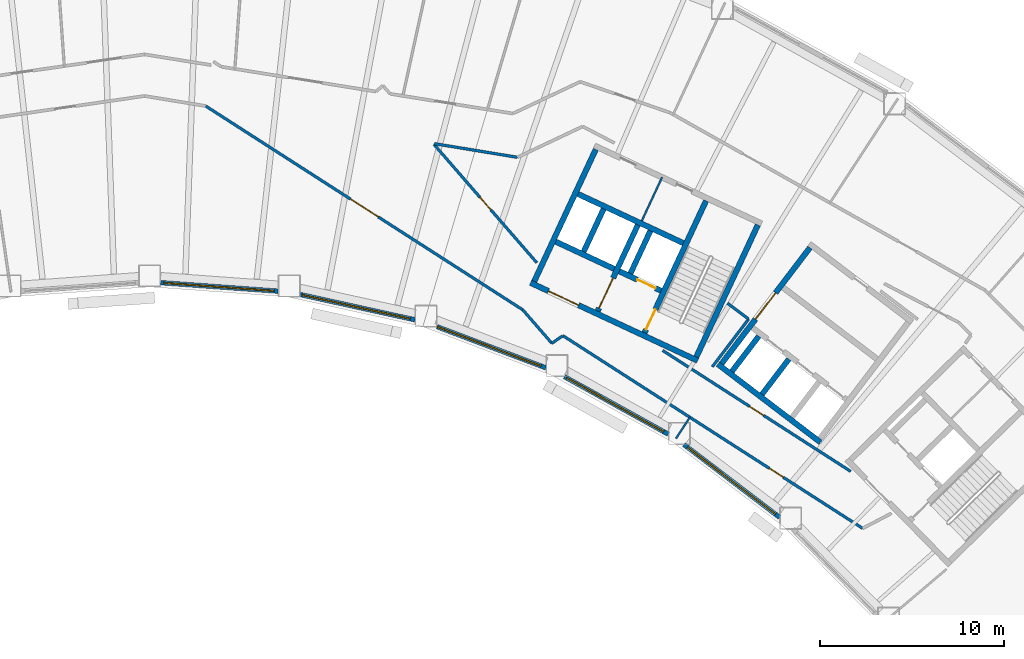
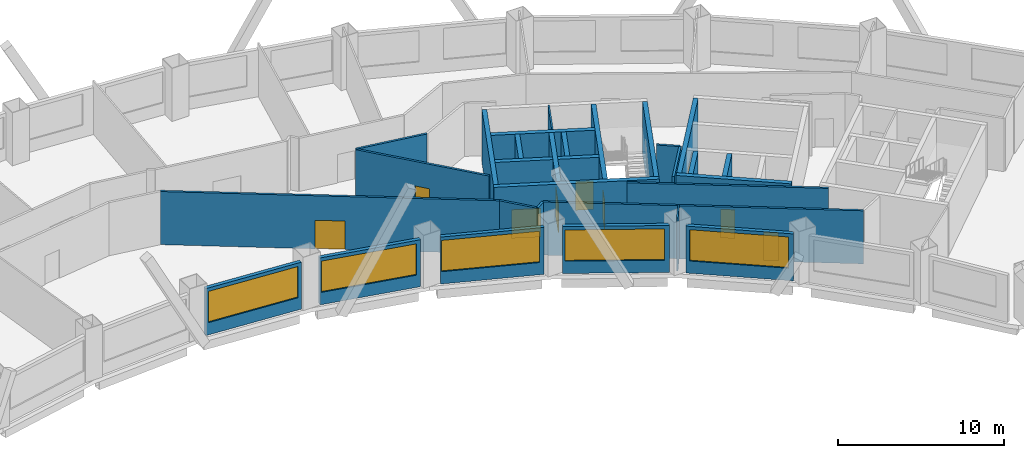
# One storey, part 6 of 12: 30 walls, 9 doors, 5 windows, 14 openings.
"""IFC4 building model written with IfcOpenShell, lengths in metres."""

from ifc_helpers import new_model, si_unit, direction, frame, frame_2d, origin, place, context, subcontext, project, spatial, rectangle, extrude, material, layer, layer_set, type_object, element, fill, save


model = new_model("IFC4")

# Units and contexts
model_context = context("Model", 3, precision=1e-05, world=origin(), true_north=direction((0.0, 1.0)))
body_context = subcontext(model_context, "Body", "Model", "MODEL_VIEW")
ifc_project = project(units=[si_unit("LENGTHUNIT", "METRE"), si_unit("AREAUNIT", "SQUARE_METRE"), si_unit("VOLUMEUNIT", "CUBIC_METRE"), si_unit("PLANEANGLEUNIT", "RADIAN"), si_unit("MASSUNIT", "GRAM", prefix="KILO")], contexts=[model_context])

# Site, building, storey
site_placement = place(None, origin())
site = spatial("IfcSite", under=ifc_project, at=site_placement, CompositionType="ELEMENT")
building_placement = place(site_placement, origin())
building = spatial("IfcBuilding", under=site, at=building_placement, Name="Tuul Gate Civic Tower", CompositionType="ELEMENT")
storey_placement = place(building_placement, frame((0.0, 0.0, 82.199951171875)))
storey = spatial("IfcBuildingStorey", under=building, at=storey_placement, Name="Level 18", CompositionType="ELEMENT", Elevation=82.199951171875)

# Wall, opening, door
ifc_material_1 = material(Name="Concrete C50/60", Category="concrete")
ifc_layer_1 = layer(ifc_material_1, 0.300048828125)
ifc_layer_set_1 = layer_set([ifc_layer_1], Name="Concrete C50/60")
wall_type_1 = type_object("IfcWallType", Name="Core wall C50/60", PredefinedType="SHEAR", material=ifc_layer_set_1)
wall_1_placement = place(storey_placement, frame((34.5283203125, -7.25, 0.0), z_axis=(0.0, 0.0, 1.0), x_axis=(-0.906310338845, 0.422612789327, 0.0)))
wall_1 = element("IfcWall", 1, at=wall_1_placement, inside=storey, type_object=wall_type_1, Name="Core wall", PredefinedType="SHEAR", context=body_context, shape_type="SweptSolid", body=[
    extrude(rectangle(XDim=9.999755859375, YDim=0.300048828125, at=frame_2d((5.0, 0.0))), origin(), (0.0, 0.0, 1.0), 3.900146484375),
])
opening_1_placement = place(wall_1_placement, frame((7.125, 0.0, 0.0)))
opening_1 = element("IfcOpeningElement", 2, at=opening_1_placement, cuts=wall_1, Name="Opening LB-E3-LOBBY-1", PredefinedType="OPENING", context=body_context, shape_type="SweptSolid", body=[
    extrude(rectangle(XDim=1.800048828125, YDim=2.10009765625, at=frame_2d((0.89990234375, 1.050048828125))), frame((0.0, 0.16015625, 0.0), z_axis=(0.0, -1.0, 0.0), x_axis=(1.0, 0.0, 0.0)), (0.0, 0.0, 1.0), 0.320068359375),
])
ifc_material_2 = material(Name="Steel", Category="steel")
door_type_1 = type_object("IfcDoorType", Name="Lobby door", OperationType="DOUBLE_DOOR_SINGLE_SWING", PredefinedType="DOOR", material=ifc_material_2)
door_1_placement = place(opening_1_placement, frame((1.800048828125, 0.0, 0.0), z_axis=(0.0, 0.0, 1.0), x_axis=(-1.0, 0.0, 0.0)))
door_1 = element("IfcDoor", 3, at=door_1_placement, inside=storey, type_object=door_type_1, Name="Lobby door E3-LOBBY", OperationType="DOUBLE_DOOR_SINGLE_SWING", OverallHeight=2.10009765625, OverallWidth=1.800048828125, PredefinedType="DOOR", context=body_context, shape_type="SweptSolid", body=[
    extrude(rectangle(XDim=1.800048828125, YDim=2.10009765625, at=frame_2d((0.900146484375, 1.050048828125))), frame((0.0, 0.02490234375, 0.0), z_axis=(0.0, -1.0, 0.0), x_axis=(1.0, 0.0, 0.0)), (0.0, 0.0, 1.0), 0.050048828125),
])
fill(opening_1, door_1)

wall_2_placement = place(storey_placement, frame((32.545654296875, -3.456787109375, 0.0), z_axis=(0.0, 0.0, 1.0), x_axis=(-0.906300357825, 0.42263419337, 0.0)))
wall_2 = element("IfcWall", 4, at=wall_2_placement, inside=storey, type_object=wall_type_1, Name="Core wall", PredefinedType="SHEAR", context=body_context, shape_type="SweptSolid", body=[
    extrude(rectangle(XDim=2.500244140625, YDim=0.300048828125, at=frame_2d((1.25, 0.0))), origin(), (0.0, 0.0, 1.0), 3.900146484375),
])
opening_2_placement = place(wall_2_placement, frame((0.324951171875, 0.0, 0.0)))
opening_2 = element("IfcOpeningElement", 5, at=opening_2_placement, cuts=wall_2, Name="Opening LD-FF-2", PredefinedType="OPENING", context=body_context, shape_type="SweptSolid", body=[
    extrude(rectangle(XDim=1.10009765625, YDim=2.10009765625, at=frame_2d((0.550048828125, 1.050048828125))), frame((0.0, 0.16015625, 0.0), z_axis=(0.0, -1.0, 0.0), x_axis=(1.0, 0.0, 0.0)), (0.0, 0.0, 1.0), 0.320068359375),
])
ifc_material_3 = material(Name="Stainless steel", Category="steel")
door_type_2 = type_object("IfcDoorType", Name="Landing door", OperationType="DOUBLE_DOOR_SLIDING", PredefinedType="DOOR", material=ifc_material_3)
door_2_placement = place(opening_2_placement, origin())
door_2 = element("IfcDoor", 6, at=door_2_placement, inside=storey, type_object=door_type_2, Name="Fire-fighting lift FF-2 landing door", OperationType="DOUBLE_DOOR_SLIDING", OverallHeight=2.10009765625, OverallWidth=1.10009765625, PredefinedType="DOOR", context=body_context, shape_type="SweptSolid", body=[
    extrude(rectangle(XDim=1.10009765625, YDim=2.10009765625, at=frame_2d((0.550048828125, 1.050048828125))), frame((0.0, 0.02490234375, 0.0), z_axis=(0.0, -1.0, 0.0), x_axis=(1.0, 0.0, 0.0)), (0.0, 0.0, 1.0), 0.050048828125),
])
fill(opening_2, door_2)

# Walls
wall_3_placement = place(storey_placement, frame((30.0078125, -2.2734375, 0.0), z_axis=(0.0, 0.0, 1.0), x_axis=(-0.90630071767, 0.422633421716, 0.0)))
element("IfcWall", 7, at=wall_3_placement, inside=storey, type_object=wall_type_1, Name="Core wall", PredefinedType="SHEAR", context=body_context, shape_type="SweptSolid", body=[
    extrude(rectangle(XDim=3.5, YDim=0.300048828125, at=frame_2d((1.75, 0.0))), origin(), (0.0, 0.0, 1.0), 3.900146484375),
])
wall_4_placement = place(storey_placement, frame((33.75, -0.873779296875, 0.0), z_axis=(0.0, 0.0, 1.0), x_axis=(-0.906300917592, 0.422632992999, 0.0)))
element("IfcWall", 8, at=wall_4_placement, inside=storey, type_object=wall_type_1, Name="Core wall", PredefinedType="SHEAR", context=body_context, shape_type="SweptSolid", body=[
    extrude(rectangle(XDim=6.300048828125, YDim=0.300048828125, at=frame_2d((3.14990234375, 0.0))), origin(), (0.0, 0.0, 1.0), 3.900146484375),
])
wall_5_placement = place(storey_placement, frame((34.455810546875, -7.05078125, 0.0), z_axis=(0.0, 0.0, 1.0), x_axis=(0.422570768258, 0.906329932096, 0.0)))
element("IfcWall", 9, at=wall_5_placement, inside=storey, type_object=wall_type_1, Name="Core wall", PredefinedType="SHEAR", context=body_context, shape_type="SweptSolid", body=[
    extrude(rectangle(XDim=7.900146484375, YDim=0.300048828125, at=frame_2d((3.9501953125, 0.0))), origin(), (0.0, 0.0, 1.0), 3.900146484375),
])

# Wall, opening, door
wall_6_placement = place(storey_placement, frame((31.646240234375, -5.740478515625, 0.0), z_axis=(0.0, 0.0, 1.0), x_axis=(0.422582604137, 0.906324413596, 0.0)))
wall_6 = element("IfcWall", 10, at=wall_6_placement, inside=storey, type_object=wall_type_1, Name="Core wall", PredefinedType="SHEAR", context=body_context, shape_type="SweptSolid", body=[
    extrude(rectangle(XDim=7.89990234375, YDim=0.300048828125, at=frame_2d((3.949951171875, 0.0))), origin(), (0.0, 0.0, 1.0), 3.900146484375),
])
opening_3_placement = place(wall_6_placement, frame((0.199951171875, 0.0, 0.0)))
opening_3 = element("IfcOpeningElement", 11, at=opening_3_placement, cuts=wall_6, Name="Opening SD-ST-4", PredefinedType="OPENING", context=body_context, shape_type="SweptSolid", body=[
    extrude(rectangle(XDim=1.199951171875, YDim=2.10009765625, at=frame_2d((0.60009765625, 1.050048828125))), frame((0.0, 0.16015625, 0.0), z_axis=(0.0, -1.0, 0.0), x_axis=(1.0, 0.0, 0.0)), (0.0, 0.0, 1.0), 0.320068359375),
])
ifc_material_4 = material(Name="Steel", Category="steel")
door_type_3 = type_object("IfcDoorType", Name="Stair door", OperationType="NOTDEFINED", PredefinedType="DOOR", material=ifc_material_4)
door_3_placement = place(opening_3_placement, origin())
door_3 = element("IfcDoor", 12, at=door_3_placement, inside=storey, type_object=door_type_3, Name="Stair door ST-4", OperationType="SINGLE_SWING_LEFT", OverallHeight=2.10009765625, OverallWidth=1.199951171875, PredefinedType="DOOR", context=body_context, shape_type="SweptSolid", body=[
    extrude(rectangle(XDim=1.199951171875, YDim=2.10009765625, at=frame_2d((0.60009765625, 1.050048828125))), frame((0.0, 0.02490234375, 0.0), z_axis=(0.0, -1.0, 0.0), x_axis=(1.0, 0.0, 0.0)), (0.0, 0.0, 1.0), 0.050048828125),
])
fill(opening_3, door_3)

# Wall
wall_7_placement = place(storey_placement, frame((30.886962890625, -2.517822265625, 0.0), z_axis=(0.0, 0.0, 1.0), x_axis=(0.422612891016, 0.906310291427, 0.0)))
element("IfcWall", 13, at=wall_7_placement, inside=storey, type_object=wall_type_1, Name="Core wall", PredefinedType="SHEAR", context=body_context, shape_type="SweptSolid", body=[
    extrude(rectangle(XDim=2.550048828125, YDim=0.300048828125, at=frame_2d((1.27490234375, 0.0))), origin(), (0.0, 0.0, 1.0), 3.900146484375),
])

# Wall, opening, door
wall_8_placement = place(storey_placement, frame((29.108642578125, -4.557373046875, 0.0), z_axis=(0.0, 0.0, 1.0), x_axis=(0.422566235356, 0.90633204552, 0.0)))
wall_8 = element("IfcWall", 14, at=wall_8_placement, inside=storey, type_object=wall_type_1, Name="Core wall", PredefinedType="SHEAR", context=body_context, shape_type="SweptSolid", body=[
    extrude(rectangle(XDim=5.150146484375, YDim=0.300048828125, at=frame_2d((2.5751953125, 0.0))), origin(), (0.0, 0.0, 1.0), 3.900146484375),
])
opening_4_placement = place(wall_8_placement, frame((0.175048828125, 0.0, 0.0)))
opening_4 = element("IfcOpeningElement", 15, at=opening_4_placement, cuts=wall_8, Name="Opening LB-E3-FLOBBY-1", PredefinedType="OPENING", context=body_context, shape_type="SweptSolid", body=[
    extrude(rectangle(XDim=1.800048828125, YDim=2.10009765625, at=frame_2d((0.89990234375, 1.050048828125))), frame((0.0, 0.16015625, 0.0), z_axis=(0.0, -1.0, 0.0), x_axis=(1.0, 0.0, 0.0)), (0.0, 0.0, 1.0), 0.320068359375),
])
door_4_placement = place(opening_4_placement, frame((1.800048828125, 0.0, 0.0), z_axis=(0.0, 0.0, 1.0), x_axis=(-1.0, 0.0, 0.0)))
door_4 = element("IfcDoor", 16, at=door_4_placement, inside=storey, type_object=door_type_1, Name="Lobby door E3-FLOBBY", OperationType="DOUBLE_DOOR_SINGLE_SWING", OverallHeight=2.10009765625, OverallWidth=1.800048828125, PredefinedType="DOOR", context=body_context, shape_type="SweptSolid", body=[
    extrude(rectangle(XDim=1.800048828125, YDim=2.10009765625, at=frame_2d((0.900146484375, 1.050048828125))), frame((0.0, 0.02490234375, 0.0), z_axis=(0.0, -1.0, 0.0), x_axis=(1.0, 0.0, 0.0)), (0.0, 0.0, 1.0), 0.050048828125),
])
fill(opening_4, door_4)

# Walls
wall_9_placement = place(storey_placement, frame((28.349365234375, -1.33447265625, 0.0), z_axis=(0.0, 0.0, 1.0), x_axis=(0.422612891016, 0.906310291427, 0.0)))
element("IfcWall", 17, at=wall_9_placement, inside=storey, type_object=wall_type_1, Name="Core wall", PredefinedType="SHEAR", context=body_context, shape_type="SweptSolid", body=[
    extrude(rectangle(XDim=2.550048828125, YDim=0.300048828125, at=frame_2d((1.27490234375, 0.0))), origin(), (0.0, 0.0, 1.0), 3.900146484375),
])
wall_10_placement = place(storey_placement, frame((25.66455078125, -2.951416015625, 0.0), z_axis=(0.0, 0.0, 1.0), x_axis=(0.422582604137, 0.906324413596, 0.0)))
element("IfcWall", 18, at=wall_10_placement, inside=storey, type_object=wall_type_1, Name="Core wall", PredefinedType="SHEAR", context=body_context, shape_type="SweptSolid", body=[
    extrude(rectangle(XDim=7.89990234375, YDim=0.300048828125, at=frame_2d((3.949951171875, 0.0))), origin(), (0.0, 0.0, 1.0), 3.900146484375),
])

# Wall, opening, door
ifc_material_5 = material(Name="Gypsum board partition")
ifc_layer_2 = layer(ifc_material_5, 0.14990234375)
ifc_layer_set_2 = layer_set([ifc_layer_2], Name="Gypsum board partition")
wall_type_2 = type_object("IfcWallType", Name="Corridor wall P150", PredefinedType="PARTITIONING", material=ifc_layer_set_2)
wall_11_placement = place(storey_placement, frame((20.222412109375, 4.488037109375, 0.0), z_axis=(0.0, 0.0, 1.0), x_axis=(0.655887554702, -0.754858606354, 0.0)))
wall_11 = element("IfcWall", 19, at=wall_11_placement, inside=storey, type_object=wall_type_2, Name="p021", PredefinedType="PARTITIONING", context=body_context, shape_type="SweptSolid", body=[
    extrude(rectangle(XDim=8.512939453125, YDim=0.14990234375, at=frame_2d((4.25634765625, 0.0))), origin(), (0.0, 0.0, 1.0), 3.900146484375),
])
opening_5_placement = place(wall_11_placement, frame((3.806396484375, 0.0, 0.0)))
opening_5 = element("IfcOpeningElement", 20, at=opening_5_placement, cuts=wall_11, Name="Opening E-D21", PredefinedType="OPENING", context=body_context, shape_type="SweptSolid", body=[
    extrude(rectangle(XDim=0.89990234375, YDim=2.10009765625, at=frame_2d((0.449951171875, 1.050048828125))), frame((0.0, 0.0849609375, 0.0), z_axis=(0.0, -1.0, 0.0), x_axis=(1.0, 0.0, 0.0)), (0.0, 0.0, 1.0), 0.169921875),
])
ifc_material_6 = material(Name="Timber door leaf", Category="wood")
door_type_4 = type_object("IfcDoorType", Name="Door D09", OperationType="NOTDEFINED", PredefinedType="DOOR", material=ifc_material_6)
door_5_placement = place(opening_5_placement, origin())
door_5 = element("IfcDoor", 21, at=door_5_placement, inside=storey, type_object=door_type_4, Name="Door E-D21", OperationType="SINGLE_SWING_RIGHT", OverallHeight=2.10009765625, OverallWidth=0.89990234375, PredefinedType="DOOR", context=body_context, shape_type="SweptSolid", body=[
    extrude(rectangle(XDim=0.89990234375, YDim=2.10009765625, at=frame_2d((0.449951171875, 1.050048828125))), frame((0.0, 0.02490234375, 0.0), z_axis=(0.0, -1.0, 0.0), x_axis=(1.0, 0.0, 0.0)), (0.0, 0.0, 1.0), 0.050048828125),
])
fill(opening_5, door_5)

wall_12_placement = place(storey_placement, frame((32.630615234375, -6.6962890625, 0.0), z_axis=(0.0, 0.0, 1.0), x_axis=(0.84117062622, -0.540769800917, 0.0)))
wall_12 = element("IfcWall", 22, at=wall_12_placement, inside=storey, type_object=wall_type_2, Name="p025", PredefinedType="PARTITIONING", context=body_context, shape_type="SweptSolid", body=[
    extrude(rectangle(XDim=12.12744140625, YDim=0.14990234375, at=frame_2d((6.063720703125, 0.0))), origin(), (0.0, 0.0, 1.0), 3.900146484375),
])
opening_6_placement = place(wall_12_placement, frame((5.61376953125, 0.0, 0.0)))
opening_6 = element("IfcOpeningElement", 23, at=opening_6_placement, cuts=wall_12, Name="Opening E-D20", PredefinedType="OPENING", context=body_context, shape_type="SweptSolid", body=[
    extrude(rectangle(XDim=0.89990234375, YDim=2.10009765625, at=frame_2d((0.449951171875, 1.050048828125))), frame((0.0, 0.0849609375, 0.0), z_axis=(0.0, -1.0, 0.0), x_axis=(1.0, 0.0, 0.0)), (0.0, 0.0, 1.0), 0.169921875),
])
door_6_placement = place(opening_6_placement, frame((0.89990234375, 0.0, 0.0), z_axis=(0.0, 0.0, 1.0), x_axis=(-1.0, 0.0, 0.0)))
door_6 = element("IfcDoor", 24, at=door_6_placement, inside=storey, type_object=door_type_4, Name="Door E-D20", OperationType="SINGLE_SWING_LEFT", OverallHeight=2.10009765625, OverallWidth=0.89990234375, PredefinedType="DOOR", context=body_context, shape_type="SweptSolid", body=[
    extrude(rectangle(XDim=0.89990234375, YDim=2.10009765625, at=frame_2d((0.449951171875, 1.050048828125))), frame((0.0, 0.02490234375, 0.0), z_axis=(0.0, -1.0, 0.0), x_axis=(1.0, 0.0, 0.0)), (0.0, 0.0, 1.0), 0.050048828125),
])
fill(opening_6, door_6)

wall_13_placement = place(storey_placement, frame((7.852294921875, 6.55859375, 0.0), z_axis=(0.0, 0.0, 1.0), x_axis=(0.841168773291, -0.540772683149, 0.0)))
wall_13 = element("IfcWall", 25, at=wall_13_placement, inside=storey, type_object=wall_type_2, Name="p044", PredefinedType="PARTITIONING", context=body_context, shape_type="SweptSolid", body=[
    extrude(rectangle(XDim=20.440185546875, YDim=0.14990234375, at=frame_2d((10.22021484375, 0.0))), origin(), (0.0, 0.0, 1.0), 3.900146484375),
])
opening_7_placement = place(wall_13_placement, frame((9.320068359375, 0.0, 0.0)))
opening_7 = element("IfcOpeningElement", 26, at=opening_7_placement, cuts=wall_13, Name="Opening E-D16", PredefinedType="OPENING", context=body_context, shape_type="SweptSolid", body=[
    extrude(rectangle(XDim=1.800048828125, YDim=2.10009765625, at=frame_2d((0.89990234375, 1.050048828125))), frame((0.0, 0.0849609375, 0.0), z_axis=(0.0, -1.0, 0.0), x_axis=(1.0, 0.0, 0.0)), (0.0, 0.0, 1.0), 0.169921875),
])
ifc_material_7 = material(Name="Timber door leaf, double", Category="wood")
door_type_5 = type_object("IfcDoorType", Name="Door D18", OperationType="DOUBLE_DOOR_SINGLE_SWING", PredefinedType="DOOR", material=ifc_material_7)
door_7_placement = place(opening_7_placement, frame((1.800048828125, 0.0, 0.0), z_axis=(0.0, 0.0, 1.0), x_axis=(-1.0, 0.0, 0.0)))
door_7 = element("IfcDoor", 27, at=door_7_placement, inside=storey, type_object=door_type_5, Name="Door E-D16", OperationType="DOUBLE_DOOR_SINGLE_SWING", OverallHeight=2.10009765625, OverallWidth=1.800048828125, PredefinedType="DOOR", context=body_context, shape_type="SweptSolid", body=[
    extrude(rectangle(XDim=1.800048828125, YDim=2.10009765625, at=frame_2d((0.900146484375, 1.050048828125))), frame((0.0, 0.02490234375, 0.0), z_axis=(0.0, -1.0, 0.0), x_axis=(1.0, 0.0, 0.0)), (0.0, 0.0, 1.0), 0.050048828125),
])
fill(opening_7, door_7)

wall_14_placement = place(storey_placement, frame((27.230712890625, -5.899658203125, 0.0), z_axis=(0.0, 0.0, 1.0), x_axis=(0.841168620233, -0.540772921229, 0.0)))
wall_14 = element("IfcWall", 28, at=wall_14_placement, inside=storey, type_object=wall_type_2, Name="p045", PredefinedType="PARTITIONING", context=body_context, shape_type="SweptSolid", body=[
    extrude(rectangle(XDim=19.31787109375, YDim=0.14990234375, at=frame_2d((9.658935546875, 0.0))), origin(), (0.0, 0.0, 1.0), 3.900146484375),
])
opening_8_placement = place(wall_14_placement, frame((13.29638671875, 0.0, 0.0)))
opening_8 = element("IfcOpeningElement", 29, at=opening_8_placement, cuts=wall_14, Name="Opening E-D15", PredefinedType="OPENING", context=body_context, shape_type="SweptSolid", body=[
    extrude(rectangle(XDim=0.89990234375, YDim=2.10009765625, at=frame_2d((0.449951171875, 1.050048828125))), frame((0.0, 0.0849609375, 0.0), z_axis=(0.0, -1.0, 0.0), x_axis=(1.0, 0.0, 0.0)), (0.0, 0.0, 1.0), 0.169921875),
])
door_8_placement = place(opening_8_placement, frame((0.89990234375, 0.0, 0.0), z_axis=(0.0, 0.0, 1.0), x_axis=(-1.0, 0.0, 0.0)))
door_8 = element("IfcDoor", 30, at=door_8_placement, inside=storey, type_object=door_type_4, Name="Door E-D15", OperationType="SINGLE_SWING_LEFT", OverallHeight=2.10009765625, OverallWidth=0.89990234375, PredefinedType="DOOR", context=body_context, shape_type="SweptSolid", body=[
    extrude(rectangle(XDim=0.89990234375, YDim=2.10009765625, at=frame_2d((0.449951171875, 1.050048828125))), frame((0.0, 0.02490234375, 0.0), z_axis=(0.0, -1.0, 0.0), x_axis=(1.0, 0.0, 0.0)), (0.0, 0.0, 1.0), 0.050048828125),
])
fill(opening_8, door_8)

# Walls
wall_15_placement = place(storey_placement, frame((20.240966796875, 4.5224609375, 0.0), z_axis=(0.0, 0.0, 1.0), x_axis=(0.98673971017, -0.162310641588, 0.0)))
element("IfcWall", 31, at=wall_15_placement, inside=storey, type_object=wall_type_2, Name="p049", PredefinedType="PARTITIONING", context=body_context, shape_type="SweptSolid", body=[
    extrude(rectangle(XDim=4.569580078125, YDim=0.14990234375, at=frame_2d((2.28466796875, 0.0))), origin(), (0.0, 0.0, 1.0), 3.900146484375),
])
wall_16_placement = place(storey_placement, frame((25.0458984375, -4.494873046875, 0.0), z_axis=(0.0, 0.0, 1.0), x_axis=(0.656125849695, -0.754651488677, 0.0)))
element("IfcWall", 32, at=wall_16_placement, inside=storey, type_object=wall_type_2, Name="p050", PredefinedType="PARTITIONING", context=body_context, shape_type="SweptSolid", body=[
    extrude(rectangle(XDim=2.401123046875, YDim=0.14990234375, at=frame_2d((1.20068359375, 0.0))), origin(), (0.0, 0.0, 1.0), 3.900146484375),
])
wall_17_placement = place(storey_placement, frame((26.621337890625, -6.306884765625, 0.0), z_axis=(0.0, 0.0, 1.0), x_axis=(0.823443798686, 0.567397841383, 0.0)))
element("IfcWall", 33, at=wall_17_placement, inside=storey, type_object=wall_type_2, Name="p051", PredefinedType="PARTITIONING", context=body_context, shape_type="SweptSolid", body=[
    extrude(rectangle(XDim=0.715087890625, YDim=0.14990234375, at=frame_2d((0.357421875, 0.0))), origin(), (0.0, 0.0, 1.0), 3.900146484375),
])
wall_18_placement = place(storey_placement, frame((36.147705078125, -4.13330078125, 0.0), z_axis=(0.0, 0.0, 1.0), x_axis=(0.798976694108, -0.601361989382, 0.0)))
element("IfcWall", 34, at=wall_18_placement, inside=storey, type_object=wall_type_2, Name="p058", PredefinedType="PARTITIONING", context=body_context, shape_type="SweptSolid", body=[
    extrude(rectangle(XDim=1.43310546875, YDim=0.14990234375, at=frame_2d((0.716552734375, 0.0))), origin(), (0.0, 0.0, 1.0), 3.900146484375),
])
wall_19_placement = place(storey_placement, frame((35.32177734375, -7.58447265625, 0.0), z_axis=(0.0, 0.0, 1.0), x_axis=(0.605733537109, 0.795667570045, 0.0)))
element("IfcWall", 35, at=wall_19_placement, inside=storey, type_object=wall_type_2, Name="p059", PredefinedType="PARTITIONING", context=body_context, shape_type="SweptSolid", body=[
    extrude(rectangle(XDim=3.254638671875, YDim=0.14990234375, at=frame_2d((1.62744140625, 0.0))), origin(), (0.0, 0.0, 1.0), 3.900146484375),
])

# Wall, opening, window
ifc_material_8 = material(Name="Precast concrete C40/50", Category="concrete")
ifc_layer_3 = layer(ifc_material_8, 0.25)
ifc_layer_set_3 = layer_set([ifc_layer_3], Name="Precast concrete C40/50")
wall_type_3 = type_object("IfcWallType", Name="External wall", PredefinedType="STANDARD", material=ifc_layer_set_3)
wall_20_placement = place(storey_placement, frame((5.407958984375, -3.01806640625, 0.0), z_axis=(0.0, 0.0, 1.0), x_axis=(0.997382879348, -0.072300705277, 0.0)))
wall_20 = element("IfcWall", 36, at=wall_20_placement, inside=storey, type_object=wall_type_3, Name="External wall", PredefinedType="STANDARD", context=body_context, shape_type="SweptSolid", body=[
    extrude(rectangle(XDim=6.388671875, YDim=0.25, at=frame_2d((3.1943359375, 0.0))), origin(), (0.0, 0.0, 1.0), 3.449951171875),
])
opening_9_placement = place(wall_20_placement, frame((0.1708984375, 0.0, 0.89990234375)))
opening_9 = element("IfcOpeningElement", 37, at=opening_9_placement, cuts=wall_20, Name="Opening W26", PredefinedType="OPENING", context=body_context, shape_type="SweptSolid", body=[
    extrude(rectangle(XDim=6.0, YDim=2.300048828125, at=frame_2d((3.0, 1.14990234375))), frame((0.0, 0.135009765625, 0.0), z_axis=(0.0, -1.0, 0.0), x_axis=(1.0, 0.0, 0.0)), (0.0, 0.0, 1.0), 0.27001953125),
])
ifc_material_9 = material(Name="Glass", Category="glass")
window_type = type_object("IfcWindowType", Name="Window W26 6000 x 2300", PartitioningType="SINGLE_PANEL", PredefinedType="WINDOW", material=ifc_material_9)
window_1_placement = place(opening_9_placement, origin())
window_1 = element("IfcWindow", 38, at=window_1_placement, inside=storey, type_object=window_type, Name="Window", OverallHeight=2.300048828125, OverallWidth=6.0, PartitioningType="SINGLE_PANEL", PredefinedType="WINDOW", context=body_context, shape_type="SweptSolid", body=[
    extrude(rectangle(XDim=6.0, YDim=2.300048828125, at=frame_2d((3.0, 1.14990234375))), frame((0.0, 0.030029296875, 0.0), z_axis=(0.0, -1.0, 0.0), x_axis=(1.0, 0.0, 0.0)), (0.0, 0.0, 1.0), 0.06005859375),
])
fill(opening_9, window_1)

wall_21_placement = place(storey_placement, frame((12.97998046875, -3.66259765625, 0.0), z_axis=(0.0, 0.0, 1.0), x_axis=(0.97656114485, -0.215240169041, 0.0)))
wall_21 = element("IfcWall", 39, at=wall_21_placement, inside=storey, type_object=wall_type_3, Name="External wall", PredefinedType="STANDARD", context=body_context, shape_type="SweptSolid", body=[
    extrude(rectangle(XDim=6.36328125, YDim=0.25, at=frame_2d((3.181640625, 0.0))), origin(), (0.0, 0.0, 1.0), 3.449951171875),
])
opening_10_placement = place(wall_21_placement, frame((0.10986328125, 0.0, 0.89990234375)))
opening_10 = element("IfcOpeningElement", 40, at=opening_10_placement, cuts=wall_21, Name="Opening W26", PredefinedType="OPENING", context=body_context, shape_type="SweptSolid", body=[
    extrude(rectangle(XDim=6.0, YDim=2.300048828125, at=frame_2d((3.0, 1.14990234375))), frame((0.0, 0.135009765625, 0.0), z_axis=(0.0, -1.0, 0.0), x_axis=(1.0, 0.0, 0.0)), (0.0, 0.0, 1.0), 0.27001953125),
])
window_2_placement = place(opening_10_placement, origin())
window_2 = element("IfcWindow", 41, at=window_2_placement, inside=storey, type_object=window_type, Name="Window", OverallHeight=2.300048828125, OverallWidth=6.0, PartitioningType="SINGLE_PANEL", PredefinedType="WINDOW", context=body_context, shape_type="SweptSolid", body=[
    extrude(rectangle(XDim=6.0, YDim=2.300048828125, at=frame_2d((3.0, 1.14990234375))), frame((0.0, 0.030029296875, 0.0), z_axis=(0.0, -1.0, 0.0), x_axis=(1.0, 0.0, 0.0)), (0.0, 0.0, 1.0), 0.06005859375),
])
fill(opening_10, window_2)

wall_22_placement = place(storey_placement, frame((20.39404296875, -5.406005859375, 0.0), z_axis=(0.0, 0.0, 1.0), x_axis=(0.935355477431, -0.353709104829, 0.0)))
wall_22 = element("IfcWall", 42, at=wall_22_placement, inside=storey, type_object=wall_type_3, Name="External wall", PredefinedType="STANDARD", context=body_context, shape_type="SweptSolid", body=[
    extrude(rectangle(XDim=6.30859375, YDim=0.25, at=frame_2d((3.154296875, 0.0))), origin(), (0.0, 0.0, 1.0), 3.449951171875),
])
opening_11_placement = place(wall_22_placement, frame((0.03125, 0.0, 0.89990234375)))
opening_11 = element("IfcOpeningElement", 43, at=opening_11_placement, cuts=wall_22, Name="Opening W26", PredefinedType="OPENING", context=body_context, shape_type="SweptSolid", body=[
    extrude(rectangle(XDim=6.0, YDim=2.300048828125, at=frame_2d((3.0, 1.14990234375))), frame((0.0, 0.135009765625, 0.0), z_axis=(0.0, -1.0, 0.0), x_axis=(1.0, 0.0, 0.0)), (0.0, 0.0, 1.0), 0.27001953125),
])
window_3_placement = place(opening_11_placement, origin())
window_3 = element("IfcWindow", 44, at=window_3_placement, inside=storey, type_object=window_type, Name="Window", OverallHeight=2.300048828125, OverallWidth=6.0, PartitioningType="SINGLE_PANEL", PredefinedType="WINDOW", context=body_context, shape_type="SweptSolid", body=[
    extrude(rectangle(XDim=6.0, YDim=2.300048828125, at=frame_2d((3.0, 1.14990234375))), frame((0.0, 0.030029296875, 0.0), z_axis=(0.0, -1.0, 0.0), x_axis=(1.0, 0.0, 0.0)), (0.0, 0.0, 1.0), 0.06005859375),
])
fill(opening_11, window_3)

wall_23_placement = place(storey_placement, frame((27.307373046875, -8.116943359375, 0.0), z_axis=(0.0, 0.0, 1.0), x_axis=(0.874625787744, -0.484798650384, 0.0)))
wall_23 = element("IfcWall", 45, at=wall_23_placement, inside=storey, type_object=wall_type_3, Name="External wall", PredefinedType="STANDARD", context=body_context, shape_type="SweptSolid", body=[
    extrude(rectangle(XDim=6.434326171875, YDim=0.25, at=frame_2d((3.21728515625, 0.0))), origin(), (0.0, 0.0, 1.0), 3.449951171875),
])
opening_12_placement = place(wall_23_placement, frame((0.143798828125, 0.0, 0.89990234375)))
opening_12 = element("IfcOpeningElement", 46, at=opening_12_placement, cuts=wall_23, Name="Opening W26", PredefinedType="OPENING", context=body_context, shape_type="SweptSolid", body=[
    extrude(rectangle(XDim=6.0, YDim=2.300048828125, at=frame_2d((3.0, 1.14990234375))), frame((0.0, 0.135009765625, 0.0), z_axis=(0.0, -1.0, 0.0), x_axis=(1.0, 0.0, 0.0)), (0.0, 0.0, 1.0), 0.27001953125),
])
window_4_placement = place(opening_12_placement, origin())
window_4 = element("IfcWindow", 47, at=window_4_placement, inside=storey, type_object=window_type, Name="Window", OverallHeight=2.300048828125, OverallWidth=6.0, PartitioningType="SINGLE_PANEL", PredefinedType="WINDOW", context=body_context, shape_type="SweptSolid", body=[
    extrude(rectangle(XDim=6.0, YDim=2.300048828125, at=frame_2d((3.0, 1.14990234375))), frame((0.0, 0.030029296875, 0.0), z_axis=(0.0, -1.0, 0.0), x_axis=(1.0, 0.0, 0.0)), (0.0, 0.0, 1.0), 0.06005859375),
])
fill(opening_12, window_4)

wall_24_placement = place(storey_placement, frame((33.785888671875, -11.797119140625, 0.0), z_axis=(0.0, 0.0, 1.0), x_axis=(0.795581202254, -0.605846969639, 0.0)))
wall_24 = element("IfcWall", 48, at=wall_24_placement, inside=storey, type_object=wall_type_3, Name="External wall", PredefinedType="STANDARD", context=body_context, shape_type="SweptSolid", body=[
    extrude(rectangle(XDim=6.5224609375, YDim=0.25, at=frame_2d((3.26123046875, 0.0))), origin(), (0.0, 0.0, 1.0), 3.449951171875),
])
opening_13_placement = place(wall_24_placement, frame((0.232666015625, 0.0, 0.89990234375)))
opening_13 = element("IfcOpeningElement", 49, at=opening_13_placement, cuts=wall_24, Name="Opening W26", PredefinedType="OPENING", context=body_context, shape_type="SweptSolid", body=[
    extrude(rectangle(XDim=6.0, YDim=2.300048828125, at=frame_2d((3.0, 1.14990234375))), frame((0.0, 0.135009765625, 0.0), z_axis=(0.0, -1.0, 0.0), x_axis=(1.0, 0.0, 0.0)), (0.0, 0.0, 1.0), 0.27001953125),
])
window_5_placement = place(opening_13_placement, origin())
window_5 = element("IfcWindow", 50, at=window_5_placement, inside=storey, type_object=window_type, Name="Window", OverallHeight=2.300048828125, OverallWidth=6.0, PartitioningType="SINGLE_PANEL", PredefinedType="WINDOW", context=body_context, shape_type="SweptSolid", body=[
    extrude(rectangle(XDim=6.0, YDim=2.300048828125, at=frame_2d((3.0, 1.14990234375))), frame((0.0, 0.030029296875, 0.0), z_axis=(0.0, -1.0, 0.0), x_axis=(1.0, 0.0, 0.0)), (0.0, 0.0, 1.0), 0.06005859375),
])
fill(opening_13, window_5)

# Walls
ifc_material_10 = material(Name="Concrete C40/50", Category="concrete")
ifc_layer_4 = layer(ifc_material_10, 0.300048828125)
ifc_layer_set_4 = layer_set([ifc_layer_4], Name="Concrete C40/50")
wall_type_4 = type_object("IfcWallType", Name="Lift shaft wall C40/50", PredefinedType="STANDARD", material=ifc_layer_set_4)
wall_25_placement = place(storey_placement, frame((41.19189453125, -11.677734375, 0.0), z_axis=(0.0, 0.0, 1.0), x_axis=(-0.795563000331, 0.605870871147, 0.0)))
element("IfcWall", 51, at=wall_25_placement, inside=storey, type_object=wall_type_4, Name="Shaft wall", PredefinedType="STANDARD", context=body_context, shape_type="SweptSolid", body=[
    extrude(rectangle(XDim=7.000244140625, YDim=0.300048828125, at=frame_2d((3.5, 0.0))), origin(), (0.0, 0.0, 1.0), 3.900146484375),
])
wall_26_placement = place(storey_placement, frame((38.02099609375, -9.07421875, 0.0), z_axis=(0.0, 0.0, 1.0), x_axis=(0.605730519254, 0.795669867498, 0.0)))
element("IfcWall", 52, at=wall_26_placement, inside=storey, type_object=wall_type_4, Name="Shaft wall", PredefinedType="STANDARD", context=body_context, shape_type="SweptSolid", body=[
    extrude(rectangle(XDim=2.399658203125, YDim=0.300048828125, at=frame_2d((1.19970703125, 0.0))), origin(), (0.0, 0.0, 1.0), 3.900146484375),
])
wall_27_placement = place(storey_placement, frame((36.389892578125, -7.832275390625, 0.0), z_axis=(0.0, 0.0, 1.0), x_axis=(0.605745892068, 0.79565816419, 0.0)))
element("IfcWall", 53, at=wall_27_placement, inside=storey, type_object=wall_type_4, Name="Shaft wall", PredefinedType="STANDARD", context=body_context, shape_type="SweptSolid", body=[
    extrude(rectangle(XDim=2.400146484375, YDim=0.300048828125, at=frame_2d((1.2001953125, 0.0))), origin(), (0.0, 0.0, 1.0), 3.900146484375),
])

# Wall, opening, door
wall_28_placement = place(storey_placement, frame((35.8330078125, -7.408203125, 0.0), z_axis=(0.0, 0.0, 1.0), x_axis=(0.605769437763, 0.795640237967, 0.0)))
wall_28 = element("IfcWall", 54, at=wall_28_placement, inside=storey, type_object=wall_type_4, Name="Shaft wall", PredefinedType="STANDARD", context=body_context, shape_type="SweptSolid", body=[
    extrude(rectangle(XDim=7.900146484375, YDim=0.300048828125, at=frame_2d((3.9501953125, 0.0))), origin(), (0.0, 0.0, 1.0), 3.900146484375),
])
opening_14_placement = place(wall_28_placement, frame((3.02490234375, 0.0, 0.0)))
opening_14 = element("IfcOpeningElement", 55, at=opening_14_placement, cuts=wall_28, Name="Opening LB-E2-LOBBY-1", PredefinedType="OPENING", context=body_context, shape_type="SweptSolid", body=[
    extrude(rectangle(XDim=1.800048828125, YDim=2.10009765625, at=frame_2d((0.89990234375, 1.050048828125))), frame((0.0, 0.16015625, 0.0), z_axis=(0.0, -1.0, 0.0), x_axis=(1.0, 0.0, 0.0)), (0.0, 0.0, 1.0), 0.320068359375),
])
door_9_placement = place(opening_14_placement, frame((1.800048828125, 0.0, 0.0), z_axis=(0.0, 0.0, 1.0), x_axis=(-1.0, 0.0, 0.0)))
door_9 = element("IfcDoor", 56, at=door_9_placement, inside=storey, type_object=door_type_1, Name="Lobby door E2-LOBBY", OperationType="DOUBLE_DOOR_SINGLE_SWING", OverallHeight=2.10009765625, OverallWidth=1.800048828125, PredefinedType="DOOR", context=body_context, shape_type="SweptSolid", body=[
    extrude(rectangle(XDim=1.800048828125, YDim=2.10009765625, at=frame_2d((0.900146484375, 1.050048828125))), frame((0.0, 0.02490234375, 0.0), z_axis=(0.0, -1.0, 0.0), x_axis=(1.0, 0.0, 0.0)), (0.0, 0.0, 1.0), 0.050048828125),
])
fill(opening_14, door_9)

# Walls
ifc_material_11 = material(Name="Gypsum board partition")
ifc_layer_5 = layer(ifc_material_11, 0.10009765625)
ifc_layer_set_5 = layer_set([ifc_layer_5], Name="Gypsum board partition")
wall_type_5 = type_object("IfcWallType", Name="Partition P100", PredefinedType="PARTITIONING", material=ifc_layer_set_5)
wall_29_placement = place(storey_placement, frame((33.35400390625, -11.474365234375, 0.0), z_axis=(0.0, 0.0, 1.0), x_axis=(0.546743275898, 0.837300298734, 0.0)))
element("IfcWall", 57, at=wall_29_placement, inside=storey, type_object=wall_type_5, Name="p008", PredefinedType="PARTITIONING", context=body_context, shape_type="SweptSolid", body=[
    extrude(rectangle(XDim=1.3779296875, YDim=0.10009765625, at=frame_2d((0.68896484375, 0.0))), origin(), (0.0, 0.0, 1.0), 3.900146484375),
])
wall_30_placement = place(storey_placement, frame((31.502197265625, 0.33984375, 0.0), z_axis=(0.0, 0.0, 1.0), x_axis=(0.422556439746, 0.906336612539, 0.0)))
element("IfcWall", 58, at=wall_30_placement, inside=storey, type_object=wall_type_5, Name="bE3-BAND-0", PredefinedType="PARTITIONING", context=body_context, shape_type="SweptSolid", body=[
    extrude(rectangle(XDim=2.599853515625, YDim=0.10009765625, at=frame_2d((1.2998046875, 0.0))), origin(), (0.0, 0.0, 1.0), 3.900146484375),
])

save(model, "model.ifc")
